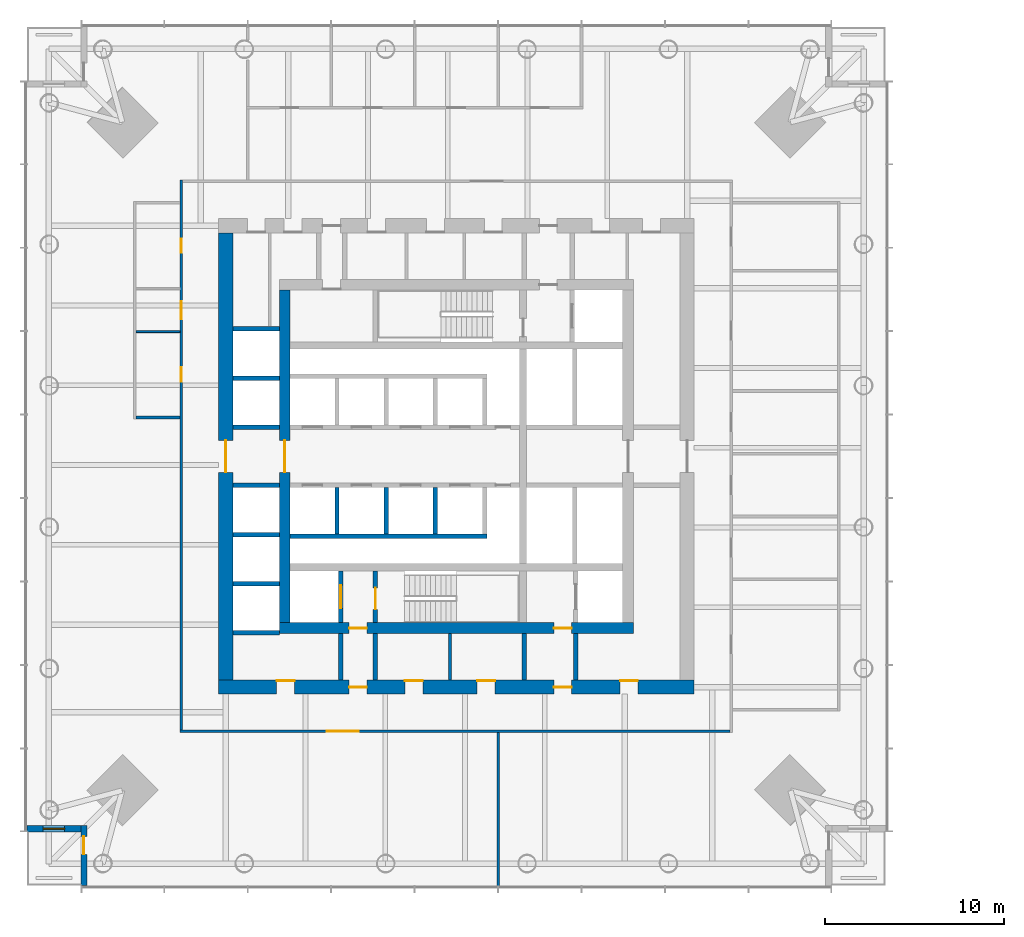
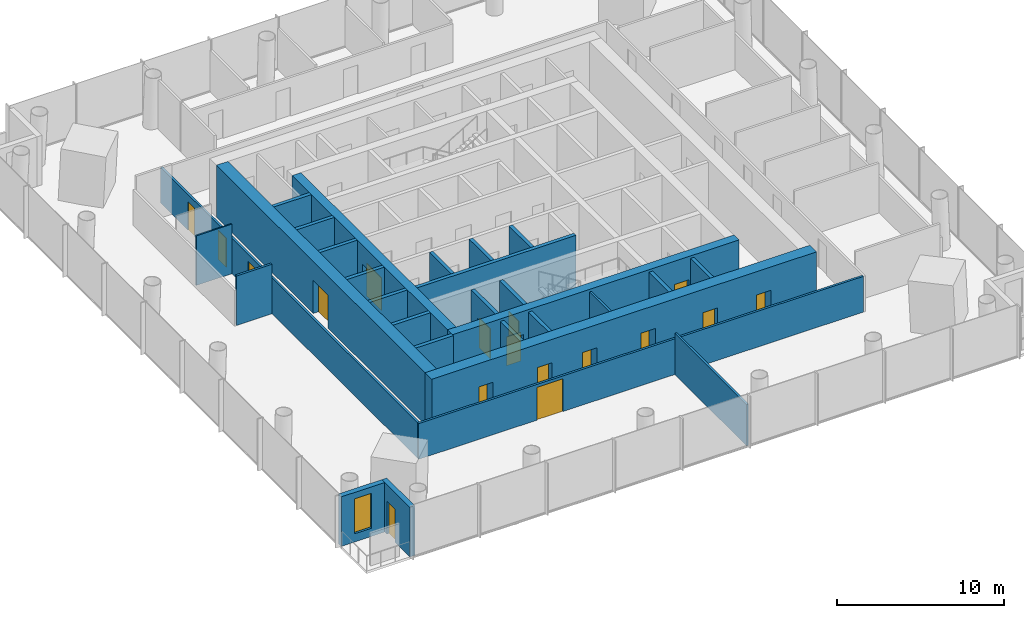
# One storey, part 10 of 21: 29 walls, 17 doors, 1 window, 18 openings.
"""IFC4 building model written with IfcOpenShell, lengths in metres."""

from ifc_helpers import new_model, si_unit, direction, frame, frame_2d, origin, place, context, subcontext, project, spatial, rectangle, extrude, material, layer, layer_set, type_object, element, fill, save


model = new_model("IFC4")

# Units and contexts
model_context = context("Model", 3, precision=1e-05, world=origin(), true_north=direction((0.0, 1.0)))
body_context = subcontext(model_context, "Body", "Model", "MODEL_VIEW")
ifc_project = project(units=[si_unit("LENGTHUNIT", "METRE"), si_unit("AREAUNIT", "SQUARE_METRE"), si_unit("VOLUMEUNIT", "CUBIC_METRE"), si_unit("PLANEANGLEUNIT", "RADIAN"), si_unit("MASSUNIT", "GRAM", prefix="KILO")], contexts=[model_context])

# Site, building, storey
site_placement = place(None, origin())
site = spatial("IfcSite", under=ifc_project, at=site_placement, CompositionType="ELEMENT")
building_placement = place(site_placement, origin())
building = spatial("IfcBuilding", under=site, at=building_placement, Name="Ostroluk Exchange", CompositionType="ELEMENT")
storey_placement = place(building_placement, frame((0.0, 0.0, 59.0)))
storey = spatial("IfcBuildingStorey", under=building, at=storey_placement, Name="L14", CompositionType="ELEMENT", Elevation=59.0)

# Walls
ifc_material_1 = material(Name="Concrete blockwork", Category="masonry")
ifc_layer_1 = layer(ifc_material_1, 0.10009765625)
ifc_layer_set_1 = layer_set([ifc_layer_1], Name="Blockwork WC wall 100")
wall_type_1 = type_object("IfcWallType", Name="Blockwork WC wall 100", PredefinedType="SOLIDWALL", material=ifc_layer_set_1)
wall_1_placement = place(storey_placement, frame((29.550048828125, 52.97509765625, 0.0), z_axis=(0.0, 0.0, 1.0), x_axis=(-1.0, 0.0, 0.0)))
element("IfcWall", 1, at=wall_1_placement, inside=storey, type_object=wall_type_1, Name="Blockwork WC wall", PredefinedType="SOLIDWALL", context=body_context, shape_type="SweptSolid", body=[
    extrude(rectangle(XDim=2.449951171875, YDim=0.10009765625, at=frame_2d((1.22509765625, 0.0))), origin(), (0.0, 0.0, 1.0), 3.6201171875),
])
ifc_material_2 = material(Name="Concrete blockwork", Category="masonry")
ifc_layer_2 = layer(ifc_material_2, 0.14990234375)
ifc_layer_set_2 = layer_set([ifc_layer_2], Name="Blockwork plant room wall 150")
wall_type_2 = type_object("IfcWallType", Name="Blockwork plant room wall 150", PredefinedType="SOLIDWALL", material=ifc_layer_set_2)
wall_2_placement = place(storey_placement, frame((44.639892578125, 33.5, 0.0), z_axis=(0.0, 0.0, 1.0), x_axis=(0.0, 1.0, 0.0)))
element("IfcWall", 2, at=wall_2_placement, inside=storey, type_object=wall_type_2, Name="Core room wall", PredefinedType="SOLIDWALL", context=body_context, shape_type="SweptSolid", body=[
    extrude(rectangle(XDim=2.60009765625, YDim=0.14990234375, at=frame_2d((1.300048828125, 0.0))), origin(), (0.0, 0.0, 1.0), 3.6201171875),
])
ifc_material_3 = material(Name="Concrete blockwork", Category="masonry")
ifc_layer_3 = layer(ifc_material_3, 0.25)
ifc_layer_set_3 = layer_set([ifc_layer_3], Name="Blockwork stair enclosure wall 250")
wall_type_3 = type_object("IfcWallType", Name="Blockwork stair enclosure wall 250", PredefinedType="SOLIDWALL", material=ifc_layer_set_3)
for number, where, z_axis, x_axis, name in (
    (3, (38.52490234375, 33.5, 0.0), (0.0, 0.0, 1.0), (0.0, 1.0, 0.0), "Fire lobby enclosure wall"),
    (4, (40.47509765625, 33.5, 0.0), (0.0, 0.0, 1.0), (0.0, 1.0, 0.0), "Fire lobby enclosure wall"),
    (5, (48.804931640625, 33.5, 0.0), (0.0, 0.0, 1.0), (0.0, 1.0, 0.0), "Service lobby enclosure wall"),
    (6, (51.675048828125, 33.5, 0.0), (0.0, 0.0, 1.0), (0.0, 1.0, 0.0), "Service lobby enclosure wall"),
):
    element("IfcWall", number, at=place(storey_placement, frame(where, z_axis=z_axis, x_axis=x_axis)), inside=storey, type_object=wall_type_3, Name=name, PredefinedType="SOLIDWALL", context=body_context, shape_type="SweptSolid", body=[
        extrude(rectangle(XDim=2.60009765625, YDim=0.25, at=frame_2d((1.300048828125, 0.0))), origin(), (0.0, 0.0, 1.0), 3.6201171875),
    ])

# Wall, opening, door
ifc_material_4 = material(Name="Concrete C40/50", Category="concrete")
ifc_layer_4 = layer(ifc_material_4, 0.25)
ifc_layer_set_4 = layer_set([ifc_layer_4], Name="Core shaft wall 250")
wall_type_4 = type_object("IfcWallType", Name="Core shaft wall 250", PredefinedType="SHEAR", material=ifc_layer_set_4)
wall_3_placement = place(storey_placement, frame((38.52490234375, 36.699951171875, 0.0), z_axis=(0.0, 0.0, 1.0), x_axis=(0.0, 1.0, 0.0)))
wall_3 = element("IfcWall", 7, at=wall_3_placement, inside=storey, type_object=wall_type_4, Name="Firefighting lift shaft wall", PredefinedType="SHEAR", context=body_context, shape_type="SweptSolid", body=[
    extrude(rectangle(XDim=2.900146484375, YDim=0.25, at=frame_2d((1.4501953125, 0.0))), origin(), (0.0, 0.0, 1.0), 3.800048828125),
])
opening_1_placement = place(wall_3_placement, frame((0.800048828125, 0.0, 0.0)))
opening_1 = element("IfcOpeningElement", 8, at=opening_1_placement, cuts=wall_3, Name="Opening LD2", PredefinedType="OPENING", context=body_context, shape_type="SweptSolid", body=[
    extrude(rectangle(XDim=1.300048828125, YDim=2.199951171875, at=frame_2d((0.64990234375, 1.10009765625))), frame((0.0, 0.135009765625, 0.0), z_axis=(0.0, -1.0, 0.0), x_axis=(1.0, 0.0, 0.0)), (0.0, 0.0, 1.0), 0.27001953125),
])
ifc_material_5 = material(Name="Stainless steel", Category="steel")
door_type_1 = type_object("IfcDoorType", Name="Lift landing door E 60 1300 x 2200", OperationType="DOUBLE_DOOR_SLIDING", PredefinedType="DOOR", material=ifc_material_5)
door_1_placement = place(opening_1_placement, origin())
door_1 = element("IfcDoor", 9, at=door_1_placement, inside=storey, type_object=door_type_1, Name="Lift FL1 landing door", OperationType="DOUBLE_DOOR_SLIDING", OverallHeight=2.199951171875, OverallWidth=1.300048828125, PredefinedType="DOOR", context=body_context, shape_type="SweptSolid", body=[
    extrude(rectangle(XDim=1.300048828125, YDim=2.199951171875, at=frame_2d((0.64990234375, 1.10009765625))), frame((0.0, 0.02490234375, 0.0), z_axis=(0.0, -1.0, 0.0), x_axis=(1.0, 0.0, 0.0)), (0.0, 0.0, 1.0), 0.050048828125),
])
fill(opening_1, door_1)

wall_4_placement = place(storey_placement, frame((40.47509765625, 36.699951171875, 0.0), z_axis=(0.0, 0.0, 1.0), x_axis=(0.0, 1.0, 0.0)))
wall_4 = element("IfcWall", 10, at=wall_4_placement, inside=storey, type_object=wall_type_4, Name="Stair shaft wall", PredefinedType="SHEAR", context=body_context, shape_type="SweptSolid", body=[
    extrude(rectangle(XDim=2.900146484375, YDim=0.25, at=frame_2d((1.4501953125, 0.0))), origin(), (0.0, 0.0, 1.0), 3.800048828125),
])
opening_2_placement = place(wall_4_placement, frame((0.75, 0.0, 0.0)))
opening_2 = element("IfcOpeningElement", 11, at=opening_2_placement, cuts=wall_4, Name="Opening FD60S", PredefinedType="OPENING", context=body_context, shape_type="SweptSolid", body=[
    extrude(rectangle(XDim=1.199951171875, YDim=2.10009765625, at=frame_2d((0.60009765625, 1.050048828125))), frame((0.0, 0.135009765625, 0.0), z_axis=(0.0, -1.0, 0.0), x_axis=(1.0, 0.0, 0.0)), (0.0, 0.0, 1.0), 0.27001953125),
])
ifc_material_6 = material(Name="Steel", Category="steel")
door_type_2 = type_object("IfcDoorType", Name="Stair door EI 60 1200 x 2100", OperationType="SINGLE_SWING_LEFT", PredefinedType="DOOR", material=ifc_material_6)
door_2_placement = place(opening_2_placement, origin())
door_2 = element("IfcDoor", 12, at=door_2_placement, inside=storey, type_object=door_type_2, Name="Stair T1-S1 door", OperationType="SINGLE_SWING_LEFT", OverallHeight=2.10009765625, OverallWidth=1.199951171875, PredefinedType="DOOR", context=body_context, shape_type="SweptSolid", body=[
    extrude(rectangle(XDim=1.199951171875, YDim=2.10009765625, at=frame_2d((0.60009765625, 1.050048828125))), frame((0.0, 0.02490234375, 0.0), z_axis=(0.0, -1.0, 0.0), x_axis=(1.0, 0.0, 0.0)), (0.0, 0.0, 1.0), 0.050048828125),
])
fill(opening_2, door_2)

# Walls
for number, where, z_axis, x_axis, name in (
    (13, (38.324951171875, 44.25, 0.0), (0.0, 0.0, 1.0), (0.0, -1.0, 0.0), "Lift shaft wall"),
    (14, (41.074951171875, 44.25, 0.0), (0.0, 0.0, 1.0), (0.0, -1.0, 0.0), "Lift shaft wall"),
    (15, (43.824951171875, 44.25, 0.0), (0.0, 0.0, 1.0), (0.0, -1.0, 0.0), "Lift shaft wall"),
):
    element("IfcWall", number, at=place(storey_placement, frame(where, z_axis=z_axis, x_axis=x_axis)), inside=storey, type_object=wall_type_4, Name=name, PredefinedType="SHEAR", context=body_context, shape_type="SweptSolid", body=[
        extrude(rectangle(XDim=2.60009765625, YDim=0.25, at=frame_2d((1.300048828125, 0.0))), origin(), (0.0, 0.0, 1.0), 3.800048828125),
    ])
wall_5_placement = place(storey_placement, frame((35.699951171875, 41.52490234375, 0.0), z_axis=(0.0, 0.0, 1.0), x_axis=(1.0, 0.0, 0.0)))
element("IfcWall", 16, at=wall_5_placement, inside=storey, type_object=wall_type_4, Name="Lift shaft wall", PredefinedType="SHEAR", context=body_context, shape_type="SweptSolid", body=[
    extrude(rectangle(XDim=11.0, YDim=0.25, at=frame_2d((5.5, 0.0))), origin(), (0.0, 0.0, 1.0), 3.800048828125),
])
for number, where, z_axis, x_axis, name in (
    (17, (32.5, 36.125, 0.0), (0.0, 0.0, 1.0), (1.0, 0.0, 0.0), "Lift shaft wall"),
    (18, (32.5, 38.875, 0.0), (0.0, 0.0, 1.0), (1.0, 0.0, 0.0), "Lift shaft wall"),
    (19, (32.5, 41.625, 0.0), (0.0, 0.0, 1.0), (1.0, 0.0, 0.0), "Lift shaft wall"),
    (20, (32.5, 44.375, 0.0), (0.0, 0.0, 1.0), (1.0, 0.0, 0.0), "Lift shaft wall"),
    (21, (32.5, 47.625, 0.0), (0.0, 0.0, 1.0), (1.0, 0.0, 0.0), "Lift shaft wall"),
    (22, (32.5, 50.375, 0.0), (0.0, 0.0, 1.0), (1.0, 0.0, 0.0), "Lift shaft wall"),
    (23, (32.5, 53.125, 0.0), (0.0, 0.0, 1.0), (1.0, 0.0, 0.0), "Lift shaft wall"),
):
    element("IfcWall", number, at=place(storey_placement, frame(where, z_axis=z_axis, x_axis=x_axis)), inside=storey, type_object=wall_type_4, Name=name, PredefinedType="SHEAR", context=body_context, shape_type="SweptSolid", body=[
        extrude(rectangle(XDim=2.60009765625, YDim=0.25, at=frame_2d((1.300048828125, 0.0))), origin(), (0.0, 0.0, 1.0), 3.800048828125),
    ])

# Wall, openings, doors
ifc_material_7 = material(Name="Concrete C50/60", Category="concrete")
ifc_layer_5 = layer(ifc_material_7, 0.60009765625)
ifc_layer_set_5 = layer_set([ifc_layer_5], Name="Core wall 600 C50/60")
wall_type_5 = type_object("IfcWallType", Name="Core wall 600 C50/60", PredefinedType="SHEAR", material=ifc_layer_set_5)
wall_6_placement = place(storey_placement, frame((35.10009765625, 36.39990234375, 0.0), z_axis=(0.0, 0.0, 1.0), x_axis=(1.0, 0.0, 0.0)))
wall_6 = element("IfcWall", 24, at=wall_6_placement, inside=storey, type_object=wall_type_5, Name="T1 core wall S", PredefinedType="SHEAR", context=body_context, shape_type="SweptSolid", body=[
    extrude(rectangle(XDim=19.7998046875, YDim=0.60009765625, at=frame_2d((9.89990234375, 0.0))), origin(), (0.0, 0.0, 1.0), 3.800048828125),
])
opening_3_placement = place(wall_6_placement, frame((3.89990234375, 0.0, 0.0)))
opening_3 = element("IfcOpeningElement", 25, at=opening_3_placement, cuts=wall_6, Name="Opening FD60", PredefinedType="OPENING", context=body_context, shape_type="SweptSolid", body=[
    extrude(rectangle(XDim=1.0, YDim=2.10009765625, at=frame_2d((0.5, 1.050048828125))), frame((0.0, 0.31005859375, 0.0), z_axis=(0.0, -1.0, 0.0), x_axis=(1.0, 0.0, 0.0)), (0.0, 0.0, 1.0), 0.6201171875),
])
opening_4_placement = place(wall_6_placement, frame((15.35009765625, 0.0, 0.0)))
opening_4 = element("IfcOpeningElement", 26, at=opening_4_placement, cuts=wall_6, Name="Opening FD60", PredefinedType="OPENING", context=body_context, shape_type="SweptSolid", body=[
    extrude(rectangle(XDim=1.0, YDim=2.10009765625, at=frame_2d((0.5, 1.050048828125))), frame((0.0, 0.31005859375, 0.0), z_axis=(0.0, -1.0, 0.0), x_axis=(1.0, 0.0, 0.0)), (0.0, 0.0, 1.0), 0.6201171875),
])
ifc_material_8 = material(Name="Steel", Category="steel")
door_type_3 = type_object("IfcDoorType", Name="Fire door EI 60 1000 x 2100", OperationType="SINGLE_SWING_LEFT", PredefinedType="DOOR", material=ifc_material_8)
door_3_placement = place(opening_3_placement, origin())
door_3 = element("IfcDoor", 27, at=door_3_placement, inside=storey, type_object=door_type_3, Name="Firefighting lobby door", OperationType="SINGLE_SWING_LEFT", OverallHeight=2.10009765625, OverallWidth=1.0, PredefinedType="DOOR", context=body_context, shape_type="SweptSolid", body=[
    extrude(rectangle(XDim=1.0, YDim=2.10009765625, at=frame_2d((0.5, 1.050048828125))), frame((0.0, 0.02490234375, 0.0), z_axis=(0.0, -1.0, 0.0), x_axis=(1.0, 0.0, 0.0)), (0.0, 0.0, 1.0), 0.050048828125),
])
fill(opening_3, door_3)
door_4_placement = place(opening_4_placement, origin())
door_4 = element("IfcDoor", 28, at=door_4_placement, inside=storey, type_object=door_type_3, Name="Service lobby door", OperationType="SINGLE_SWING_RIGHT", OverallHeight=2.10009765625, OverallWidth=1.0, PredefinedType="DOOR", context=body_context, shape_type="SweptSolid", body=[
    extrude(rectangle(XDim=1.0, YDim=2.10009765625, at=frame_2d((0.5, 1.050048828125))), frame((0.0, 0.02490234375, 0.0), z_axis=(0.0, -1.0, 0.0), x_axis=(1.0, 0.0, 0.0)), (0.0, 0.0, 1.0), 0.050048828125),
])
fill(opening_4, door_4)

# Wall, opening, door
wall_7_placement = place(storey_placement, frame((35.39990234375, 36.699951171875, 0.0), z_axis=(0.0, 0.0, 1.0), x_axis=(0.0, 1.0, 0.0)))
wall_7 = element("IfcWall", 29, at=wall_7_placement, inside=storey, type_object=wall_type_5, Name="T1 core wall W", PredefinedType="SHEAR", context=body_context, shape_type="SweptSolid", body=[
    extrude(rectangle(XDim=18.60009765625, YDim=0.60009765625, at=frame_2d((9.300048828125, 0.0))), origin(), (0.0, 0.0, 1.0), 3.800048828125),
])
opening_5_placement = place(wall_7_placement, frame((8.39990234375, 0.0, 0.0)))
opening_5 = element("IfcOpeningElement", 30, at=opening_5_placement, cuts=wall_7, Name="Opening FD30D", PredefinedType="OPENING", context=body_context, shape_type="SweptSolid", body=[
    extrude(rectangle(XDim=1.800048828125, YDim=2.39990234375, at=frame_2d((0.89990234375, 1.199951171875))), frame((0.0, 0.31005859375, 0.0), z_axis=(0.0, -1.0, 0.0), x_axis=(1.0, 0.0, 0.0)), (0.0, 0.0, 1.0), 0.6201171875),
])
ifc_material_9 = material(Name="Timber", Category="wood")
door_type_4 = type_object("IfcDoorType", Name="Lobby double door EI 30 1800 x 2400", OperationType="DOUBLE_DOOR_SINGLE_SWING", PredefinedType="DOOR", material=ifc_material_9)
door_5_placement = place(opening_5_placement, origin())
door_5 = element("IfcDoor", 31, at=door_5_placement, inside=storey, type_object=door_type_4, Name="Lift lobby doors", OperationType="DOUBLE_DOOR_SINGLE_SWING", OverallHeight=2.39990234375, OverallWidth=1.800048828125, PredefinedType="DOOR", context=body_context, shape_type="SweptSolid", body=[
    extrude(rectangle(XDim=1.800048828125, YDim=2.39990234375, at=frame_2d((0.89990234375, 1.199951171875))), frame((0.0, 0.02490234375, 0.0), z_axis=(0.0, -1.0, 0.0), x_axis=(1.0, 0.0, 0.0)), (0.0, 0.0, 1.0), 0.050048828125),
])
fill(opening_5, door_5)

# Wall, openings, doors
ifc_material_10 = material(Name="Concrete C50/60", Category="concrete")
ifc_layer_6 = layer(ifc_material_10, 0.800048828125)
ifc_layer_set_6 = layer_set([ifc_layer_6], Name="Core wall 800 C50/60")
wall_type_6 = type_object("IfcWallType", Name="Core wall 800 C50/60", PredefinedType="SHEAR", material=ifc_layer_set_6)
wall_8_placement = place(storey_placement, frame((31.699951171875, 33.10009765625, 0.0), z_axis=(0.0, 0.0, 1.0), x_axis=(1.0, 0.0, 0.0)))
wall_8 = element("IfcWall", 32, at=wall_8_placement, inside=storey, type_object=wall_type_6, Name="T1 core wall RS", PredefinedType="SHEAR", context=body_context, shape_type="SweptSolid", body=[
    extrude(rectangle(XDim=26.60009765625, YDim=0.800048828125, at=frame_2d((13.300048828125, 0.0))), origin(), (0.0, 0.0, 1.0), 3.800048828125),
])
opening_6_placement = place(wall_8_placement, frame((7.300048828125, 0.0, 0.0)))
opening_6 = element("IfcOpeningElement", 33, at=opening_6_placement, cuts=wall_8, Name="Opening FD60", PredefinedType="OPENING", context=body_context, shape_type="SweptSolid", body=[
    extrude(rectangle(XDim=1.0, YDim=2.10009765625, at=frame_2d((0.5, 1.050048828125))), frame((0.0, 0.409912109375, 0.0), z_axis=(0.0, -1.0, 0.0), x_axis=(1.0, 0.0, 0.0)), (0.0, 0.0, 1.0), 0.820068359375),
])
opening_7_placement = place(wall_8_placement, frame((18.75, 0.0, 0.0)))
opening_7 = element("IfcOpeningElement", 34, at=opening_7_placement, cuts=wall_8, Name="Opening FD60", PredefinedType="OPENING", context=body_context, shape_type="SweptSolid", body=[
    extrude(rectangle(XDim=1.0, YDim=2.10009765625, at=frame_2d((0.5, 1.050048828125))), frame((0.0, 0.409912109375, 0.0), z_axis=(0.0, -1.0, 0.0), x_axis=(1.0, 0.0, 0.0)), (0.0, 0.0, 1.0), 0.820068359375),
])
opening_8_placement = place(wall_8_placement, frame((3.25, 0.0, 0.0)))
opening_8 = element("IfcOpeningElement", 35, at=opening_8_placement, cuts=wall_8, Name="Opening FD60", PredefinedType="OPENING", context=body_context, shape_type="SweptSolid", body=[
    extrude(rectangle(XDim=1.0, YDim=2.10009765625, at=frame_2d((0.5, 1.050048828125))), frame((0.0, 0.409912109375, 0.0), z_axis=(0.0, -1.0, 0.0), x_axis=(1.0, 0.0, 0.0)), (0.0, 0.0, 1.0), 0.820068359375),
])
opening_9_placement = place(wall_8_placement, frame((10.419921875, 0.0, 0.0)))
opening_9 = element("IfcOpeningElement", 36, at=opening_9_placement, cuts=wall_8, Name="Opening FD60", PredefinedType="OPENING", context=body_context, shape_type="SweptSolid", body=[
    extrude(rectangle(XDim=1.0, YDim=2.10009765625, at=frame_2d((0.5, 1.050048828125))), frame((0.0, 0.409912109375, 0.0), z_axis=(0.0, -1.0, 0.0), x_axis=(1.0, 0.0, 0.0)), (0.0, 0.0, 1.0), 0.820068359375),
])
opening_10_placement = place(wall_8_placement, frame((14.4599609375, 0.0, 0.0)))
opening_10 = element("IfcOpeningElement", 37, at=opening_10_placement, cuts=wall_8, Name="Opening FD60", PredefinedType="OPENING", context=body_context, shape_type="SweptSolid", body=[
    extrude(rectangle(XDim=1.0, YDim=2.10009765625, at=frame_2d((0.5, 1.050048828125))), frame((0.0, 0.409912109375, 0.0), z_axis=(0.0, -1.0, 0.0), x_axis=(1.0, 0.0, 0.0)), (0.0, 0.0, 1.0), 0.820068359375),
])
opening_11_placement = place(wall_8_placement, frame((22.449951171875, 0.0, 0.0)))
opening_11 = element("IfcOpeningElement", 38, at=opening_11_placement, cuts=wall_8, Name="Opening FD60", PredefinedType="OPENING", context=body_context, shape_type="SweptSolid", body=[
    extrude(rectangle(XDim=1.0, YDim=2.10009765625, at=frame_2d((0.5, 1.050048828125))), frame((0.0, 0.409912109375, 0.0), z_axis=(0.0, -1.0, 0.0), x_axis=(1.0, 0.0, 0.0)), (0.0, 0.0, 1.0), 0.820068359375),
])
door_6_placement = place(opening_6_placement, origin())
door_6 = element("IfcDoor", 39, at=door_6_placement, inside=storey, type_object=door_type_3, Name="Firefighting lobby door", OperationType="SINGLE_SWING_LEFT", OverallHeight=2.10009765625, OverallWidth=1.0, PredefinedType="DOOR", context=body_context, shape_type="SweptSolid", body=[
    extrude(rectangle(XDim=1.0, YDim=2.10009765625, at=frame_2d((0.5, 1.050048828125))), frame((0.0, 0.02490234375, 0.0), z_axis=(0.0, -1.0, 0.0), x_axis=(1.0, 0.0, 0.0)), (0.0, 0.0, 1.0), 0.050048828125),
])
fill(opening_6, door_6)
door_7_placement = place(opening_7_placement, origin())
door_7 = element("IfcDoor", 40, at=door_7_placement, inside=storey, type_object=door_type_3, Name="Service lobby door", OperationType="SINGLE_SWING_RIGHT", OverallHeight=2.10009765625, OverallWidth=1.0, PredefinedType="DOOR", context=body_context, shape_type="SweptSolid", body=[
    extrude(rectangle(XDim=1.0, YDim=2.10009765625, at=frame_2d((0.5, 1.050048828125))), frame((0.0, 0.02490234375, 0.0), z_axis=(0.0, -1.0, 0.0), x_axis=(1.0, 0.0, 0.0)), (0.0, 0.0, 1.0), 0.050048828125),
])
fill(opening_7, door_7)
door_8_placement = place(opening_8_placement, origin())
door_8 = element("IfcDoor", 41, at=door_8_placement, inside=storey, type_object=door_type_3, Name="Archive door", OperationType="SINGLE_SWING_LEFT", OverallHeight=2.10009765625, OverallWidth=1.0, PredefinedType="DOOR", context=body_context, shape_type="SweptSolid", body=[
    extrude(rectangle(XDim=1.0, YDim=2.10009765625, at=frame_2d((0.5, 1.050048828125))), frame((0.0, 0.39013671875, 0.0), z_axis=(0.0, -1.0, 0.0), x_axis=(1.0, 0.0, 0.0)), (0.0, 0.0, 1.0), 0.050048828125),
])
fill(opening_8, door_8)
door_9_placement = place(opening_9_placement, origin())
door_9 = element("IfcDoor", 42, at=door_9_placement, inside=storey, type_object=door_type_3, Name="Tea point door", OperationType="SINGLE_SWING_LEFT", OverallHeight=2.10009765625, OverallWidth=1.0, PredefinedType="DOOR", context=body_context, shape_type="SweptSolid", body=[
    extrude(rectangle(XDim=1.0, YDim=2.10009765625, at=frame_2d((0.5, 1.050048828125))), frame((0.0, 0.39013671875, 0.0), z_axis=(0.0, -1.0, 0.0), x_axis=(1.0, 0.0, 0.0)), (0.0, 0.0, 1.0), 0.050048828125),
])
fill(opening_9, door_9)
door_10_placement = place(opening_10_placement, origin())
door_10 = element("IfcDoor", 43, at=door_10_placement, inside=storey, type_object=door_type_3, Name="Print and post room door", OperationType="SINGLE_SWING_RIGHT", OverallHeight=2.10009765625, OverallWidth=1.0, PredefinedType="DOOR", context=body_context, shape_type="SweptSolid", body=[
    extrude(rectangle(XDim=1.0, YDim=2.10009765625, at=frame_2d((0.5, 1.050048828125))), frame((0.0, 0.39013671875, 0.0), z_axis=(0.0, -1.0, 0.0), x_axis=(1.0, 0.0, 0.0)), (0.0, 0.0, 1.0), 0.050048828125),
])
fill(opening_10, door_10)
door_11_placement = place(opening_11_placement, origin())
door_11 = element("IfcDoor", 44, at=door_11_placement, inside=storey, type_object=door_type_3, Name="Tenant IT room door", OperationType="SINGLE_SWING_RIGHT", OverallHeight=2.10009765625, OverallWidth=1.0, PredefinedType="DOOR", context=body_context, shape_type="SweptSolid", body=[
    extrude(rectangle(XDim=1.0, YDim=2.10009765625, at=frame_2d((0.5, 1.050048828125))), frame((0.0, 0.39013671875, 0.0), z_axis=(0.0, -1.0, 0.0), x_axis=(1.0, 0.0, 0.0)), (0.0, 0.0, 1.0), 0.050048828125),
])
fill(opening_11, door_11)

# Wall, opening, door
wall_9_placement = place(storey_placement, frame((32.10009765625, 33.5, 0.0), z_axis=(0.0, 0.0, 1.0), x_axis=(0.0, 1.0, 0.0)))
wall_9 = element("IfcWall", 45, at=wall_9_placement, inside=storey, type_object=wall_type_6, Name="T1 core wall RW", PredefinedType="SHEAR", context=body_context, shape_type="SweptSolid", body=[
    extrude(rectangle(XDim=25.0, YDim=0.800048828125, at=frame_2d((12.5, 0.0))), origin(), (0.0, 0.0, 1.0), 3.800048828125),
])
opening_12_placement = place(wall_9_placement, frame((11.60009765625, 0.0, 0.0)))
opening_12 = element("IfcOpeningElement", 46, at=opening_12_placement, cuts=wall_9, Name="Opening FD30D", PredefinedType="OPENING", context=body_context, shape_type="SweptSolid", body=[
    extrude(rectangle(XDim=1.800048828125, YDim=2.39990234375, at=frame_2d((0.89990234375, 1.199951171875))), frame((0.0, 0.409912109375, 0.0), z_axis=(0.0, -1.0, 0.0), x_axis=(1.0, 0.0, 0.0)), (0.0, 0.0, 1.0), 0.820068359375),
])
door_12_placement = place(opening_12_placement, origin())
door_12 = element("IfcDoor", 47, at=door_12_placement, inside=storey, type_object=door_type_4, Name="Lift lobby doors", OperationType="DOUBLE_DOOR_SINGLE_SWING", OverallHeight=2.39990234375, OverallWidth=1.800048828125, PredefinedType="DOOR", context=body_context, shape_type="SweptSolid", body=[
    extrude(rectangle(XDim=1.800048828125, YDim=2.39990234375, at=frame_2d((0.89990234375, 1.199951171875))), frame((0.0, 0.02490234375, 0.0), z_axis=(0.0, -1.0, 0.0), x_axis=(1.0, 0.0, 0.0)), (0.0, 0.0, 1.0), 0.050048828125),
])
fill(opening_12, door_12)

ifc_material_11 = material(Name="Limestone", Category="masonry")
ifc_layer_7 = layer(ifc_material_11, 0.35009765625)
ifc_layer_set_7 = layer_set([ifc_layer_7], Name="Limestone facade wall 350")
wall_type_7 = type_object("IfcWallType", Name="Limestone facade wall 350", PredefinedType="SOLIDWALL", material=ifc_layer_set_7)
wall_10_placement = place(storey_placement, frame((24.175048828125, 22.0, 0.0), z_axis=(0.0, 0.0, 1.0), x_axis=(0.0, 1.0, 0.0)))
wall_10 = element("IfcWall", 48, at=wall_10_placement, inside=storey, type_object=wall_type_7, Name="Office tower SW corner wall L14 a", PredefinedType="SOLIDWALL", context=body_context, shape_type="SweptSolid", body=[
    extrude(rectangle(XDim=3.35009765625, YDim=0.35009765625, at=frame_2d((1.675048828125, 0.0))), origin(), (0.0, 0.0, 1.0), 3.6201171875),
])
opening_13_placement = place(wall_10_placement, frame((1.75, 0.0, 0.0)))
opening_13 = element("IfcOpeningElement", 49, at=opening_13_placement, cuts=wall_10, Name="Opening D-B1", PredefinedType="OPENING", context=body_context, shape_type="SweptSolid", body=[
    extrude(rectangle(XDim=1.0, YDim=2.39990234375, at=frame_2d((0.5, 1.199951171875))), frame((0.0, 0.18505859375, 0.0), z_axis=(0.0, -1.0, 0.0), x_axis=(1.0, 0.0, 0.0)), (0.0, 0.0, 1.0), 0.3701171875),
])
ifc_material_12 = material(Name="Bronze framed glazed door", Category="aluminium")
door_type_5 = type_object("IfcDoorType", Name="Balcony door 1000 x 2400", OperationType="SINGLE_SWING_LEFT", PredefinedType="DOOR", material=ifc_material_12)
door_13_placement = place(opening_13_placement, origin())
door_13 = element("IfcDoor", 50, at=door_13_placement, inside=storey, type_object=door_type_5, Name="Office tower SW balcony door L14", OperationType="SINGLE_SWING_RIGHT", OverallHeight=2.39990234375, OverallWidth=1.0, PredefinedType="DOOR", context=body_context, shape_type="SweptSolid", body=[
    extrude(rectangle(XDim=1.0, YDim=2.39990234375, at=frame_2d((0.5, 1.199951171875))), frame((0.0, 0.02490234375, 0.0), z_axis=(0.0, -1.0, 0.0), x_axis=(1.0, 0.0, 0.0)), (0.0, 0.0, 1.0), 0.050048828125),
])
fill(opening_13, door_13)

# Wall, opening, window
wall_11_placement = place(storey_placement, frame((24.0, 25.175048828125, 0.0), z_axis=(0.0, 0.0, 1.0), x_axis=(-1.0, 0.0, 0.0)))
wall_11 = element("IfcWall", 51, at=wall_11_placement, inside=storey, type_object=wall_type_7, Name="Office tower SW corner wall L14 b", PredefinedType="SOLIDWALL", context=body_context, shape_type="SweptSolid", body=[
    extrude(rectangle(XDim=3.0, YDim=0.35009765625, at=frame_2d((1.5, 0.0))), origin(), (0.0, 0.0, 1.0), 3.6201171875),
])
opening_14_placement = place(wall_11_placement, frame((0.89990234375, 0.0, 0.60009765625)))
opening_14 = element("IfcOpeningElement", 52, at=opening_14_placement, cuts=wall_11, Name="Opening WN-L1", PredefinedType="OPENING", context=body_context, shape_type="SweptSolid", body=[
    extrude(rectangle(XDim=1.199951171875, YDim=2.550048828125, at=frame_2d((0.60009765625, 1.27490234375))), frame((0.0, 0.18505859375, 0.0), z_axis=(0.0, -1.0, 0.0), x_axis=(1.0, 0.0, 0.0)), (0.0, 0.0, 1.0), 0.3701171875),
])
ifc_material_13 = material(Name="Laminated clear glass", Category="glass")
window_type = type_object("IfcWindowType", Name="Lancet window 1200 x 2550", PartitioningType="SINGLE_PANEL", PredefinedType="WINDOW", material=ifc_material_13)
window_placement = place(opening_14_placement, origin())
window = element("IfcWindow", 53, at=window_placement, inside=storey, type_object=window_type, Name="Office tower SW lancet window L14", OverallHeight=2.550048828125, OverallWidth=1.199951171875, PartitioningType="SINGLE_PANEL", PredefinedType="WINDOW", context=body_context, shape_type="SweptSolid", body=[
    extrude(rectangle(XDim=1.199951171875, YDim=2.550048828125, at=frame_2d((0.60009765625, 1.27490234375))), frame((0.0, 0.030029296875, 0.0), z_axis=(0.0, -1.0, 0.0), x_axis=(1.0, 0.0, 0.0)), (0.0, 0.0, 1.0), 0.06005859375),
])
fill(opening_14, window)

# Wall
ifc_material_14 = material(Name="Gypsum plasterboard partition", Category="gypsum")
ifc_layer_8 = layer(ifc_material_14, 0.14990234375)
ifc_layer_set_8 = layer_set([ifc_layer_8], Name="Plasterboard partition 150")
wall_type_8 = type_object("IfcWallType", Name="Plasterboard partition 150", PredefinedType="PARTITIONING", material=ifc_layer_set_8)
wall_12_placement = place(storey_placement, frame((47.333251953125, 30.550048828125, 0.0), z_axis=(0.0, 0.0, 1.0), x_axis=(0.0, -1.0, 0.0)))
element("IfcWall", 54, at=wall_12_placement, inside=storey, type_object=wall_type_8, Name="Tenancy partition", PredefinedType="PARTITIONING", context=body_context, shape_type="SweptSolid", body=[
    extrude(rectangle(XDim=8.590087890625, YDim=0.14990234375, at=frame_2d((4.294921875, 0.0))), origin(), (0.0, 0.0, 1.0), 3.02001953125),
])

# Wall, openings, doors
wall_13_placement = place(storey_placement, frame((29.625, 61.449951171875, 0.0), z_axis=(0.0, 0.0, 1.0), x_axis=(0.0, -1.0, 0.0)))
wall_13 = element("IfcWall", 55, at=wall_13_placement, inside=storey, type_object=wall_type_8, Name="Corridor wall", PredefinedType="PARTITIONING", context=body_context, shape_type="SweptSolid", body=[
    extrude(rectangle(XDim=30.75, YDim=0.14990234375, at=frame_2d((15.375, 0.0))), origin(), (0.0, 0.0, 1.0), 2.612060546875),
])
opening_15_placement = place(wall_13_placement, frame((3.27490234375, 0.0, 0.0)))
opening_15 = element("IfcOpeningElement", 56, at=opening_15_placement, cuts=wall_13, Name="Opening D-06", PredefinedType="OPENING", context=body_context, shape_type="SweptSolid", body=[
    extrude(rectangle(XDim=0.800048828125, YDim=2.10009765625, at=frame_2d((0.39990234375, 1.050048828125))), frame((0.0, 0.0849609375, 0.0), z_axis=(0.0, -1.0, 0.0), x_axis=(1.0, 0.0, 0.0)), (0.0, 0.0, 1.0), 0.169921875),
])
opening_16_placement = place(wall_13_placement, frame((6.77490234375, 0.0, 0.0)))
opening_16 = element("IfcOpeningElement", 57, at=opening_16_placement, cuts=wall_13, Name="Opening D-03", PredefinedType="OPENING", context=body_context, shape_type="SweptSolid", body=[
    extrude(rectangle(XDim=1.0, YDim=2.10009765625, at=frame_2d((0.5, 1.050048828125))), frame((0.0, 0.0849609375, 0.0), z_axis=(0.0, -1.0, 0.0), x_axis=(1.0, 0.0, 0.0)), (0.0, 0.0, 1.0), 0.169921875),
])
opening_17_placement = place(wall_13_placement, frame((10.47509765625, 0.0, 0.0)))
opening_17 = element("IfcOpeningElement", 58, at=opening_17_placement, cuts=wall_13, Name="Opening D-06", PredefinedType="OPENING", context=body_context, shape_type="SweptSolid", body=[
    extrude(rectangle(XDim=0.800048828125, YDim=2.10009765625, at=frame_2d((0.39990234375, 1.050048828125))), frame((0.0, 0.0849609375, 0.0), z_axis=(0.0, -1.0, 0.0), x_axis=(1.0, 0.0, 0.0)), (0.0, 0.0, 1.0), 0.169921875),
])
ifc_material_15 = material(Name="Timber", Category="wood")
door_type_6 = type_object("IfcDoorType", Name="Internal door 1000 x 2100", OperationType="SINGLE_SWING_LEFT", PredefinedType="DOOR", material=ifc_material_15)
door_14_placement = place(opening_16_placement, origin())
door_14 = element("IfcDoor", 59, at=door_14_placement, inside=storey, type_object=door_type_6, Name="Accessible WC door", OperationType="SINGLE_SWING_LEFT", OverallHeight=2.10009765625, OverallWidth=1.0, PredefinedType="DOOR", context=body_context, shape_type="SweptSolid", body=[
    extrude(rectangle(XDim=1.0, YDim=2.10009765625, at=frame_2d((0.5, 1.050048828125))), frame((0.0, 0.02490234375, 0.0), z_axis=(0.0, -1.0, 0.0), x_axis=(1.0, 0.0, 0.0)), (0.0, 0.0, 1.0), 0.050048828125),
])
fill(opening_16, door_14)
ifc_material_16 = material(Name="Timber", Category="wood")
door_type_7 = type_object("IfcDoorType", Name="Toilet door 800 x 2100", OperationType="SINGLE_SWING_LEFT", PredefinedType="DOOR", material=ifc_material_16)
door_15_placement = place(opening_15_placement, origin())
door_15 = element("IfcDoor", 60, at=door_15_placement, inside=storey, type_object=door_type_7, Name="WC female door", OperationType="SINGLE_SWING_LEFT", OverallHeight=2.10009765625, OverallWidth=0.800048828125, PredefinedType="DOOR", context=body_context, shape_type="SweptSolid", body=[
    extrude(rectangle(XDim=0.800048828125, YDim=2.10009765625, at=frame_2d((0.39990234375, 1.050048828125))), frame((0.0, 0.02490234375, 0.0), z_axis=(0.0, -1.0, 0.0), x_axis=(1.0, 0.0, 0.0)), (0.0, 0.0, 1.0), 0.050048828125),
])
fill(opening_15, door_15)
door_16_placement = place(opening_17_placement, origin())
door_16 = element("IfcDoor", 61, at=door_16_placement, inside=storey, type_object=door_type_7, Name="WC male door", OperationType="SINGLE_SWING_LEFT", OverallHeight=2.10009765625, OverallWidth=0.800048828125, PredefinedType="DOOR", context=body_context, shape_type="SweptSolid", body=[
    extrude(rectangle(XDim=0.800048828125, YDim=2.10009765625, at=frame_2d((0.39990234375, 1.050048828125))), frame((0.0, 0.02490234375, 0.0), z_axis=(0.0, -1.0, 0.0), x_axis=(1.0, 0.0, 0.0)), (0.0, 0.0, 1.0), 0.050048828125),
])
fill(opening_17, door_16)

# Wall, opening, door
wall_14_placement = place(storey_placement, frame((29.550048828125, 30.625, 0.0), z_axis=(0.0, 0.0, 1.0), x_axis=(1.0, 0.0, 0.0)))
wall_14 = element("IfcWall", 62, at=wall_14_placement, inside=storey, type_object=wall_type_8, Name="Corridor wall", PredefinedType="PARTITIONING", context=body_context, shape_type="SweptSolid", body=[
    extrude(rectangle(XDim=30.75, YDim=0.14990234375, at=frame_2d((15.375, 0.0))), origin(), (0.0, 0.0, 1.0), 2.612060546875),
])
opening_18_placement = place(wall_14_placement, frame((8.191650390625, 0.0, 0.0)))
opening_18 = element("IfcOpeningElement", 63, at=opening_18_placement, cuts=wall_14, Name="Opening D-04", PredefinedType="OPENING", context=body_context, shape_type="SweptSolid", body=[
    extrude(rectangle(XDim=1.800048828125, YDim=2.39990234375, at=frame_2d((0.89990234375, 1.199951171875))), frame((0.0, 0.0849609375, 0.0), z_axis=(0.0, -1.0, 0.0), x_axis=(1.0, 0.0, 0.0)), (0.0, 0.0, 1.0), 0.169921875),
])
ifc_material_17 = material(Name="Timber", Category="wood")
door_type_8 = type_object("IfcDoorType", Name="Double door 1800 x 2400", OperationType="DOUBLE_DOOR_SINGLE_SWING", PredefinedType="DOOR", material=ifc_material_17)
door_17_placement = place(opening_18_placement, origin())
door_17 = element("IfcDoor", 64, at=door_17_placement, inside=storey, type_object=door_type_8, Name="Open plan office door", OperationType="DOUBLE_DOOR_SINGLE_SWING", OverallHeight=2.39990234375, OverallWidth=1.800048828125, PredefinedType="DOOR", context=body_context, shape_type="SweptSolid", body=[
    extrude(rectangle(XDim=1.800048828125, YDim=2.39990234375, at=frame_2d((0.89990234375, 1.199951171875))), frame((0.0, 0.02490234375, 0.0), z_axis=(0.0, -1.0, 0.0), x_axis=(1.0, 0.0, 0.0)), (0.0, 0.0, 1.0), 0.050048828125),
])
fill(opening_18, door_17)

# Wall
ifc_material_18 = material(Name="Gypsum plasterboard partition, moisture resistant", Category="gypsum")
ifc_layer_9 = layer(ifc_material_18, 0.14990234375)
ifc_layer_set_9 = layer_set([ifc_layer_9], Name="Plasterboard toilet partition 150")
wall_type_9 = type_object("IfcWallType", Name="Plasterboard toilet partition 150", PredefinedType="PARTITIONING", material=ifc_layer_set_9)
wall_15_placement = place(storey_placement, frame((29.550048828125, 48.175048828125, 0.0), z_axis=(0.0, 0.0, 1.0), x_axis=(-1.0, 0.0, 0.0)))
element("IfcWall", 65, at=wall_15_placement, inside=storey, type_object=wall_type_9, Name="Toilet partition", PredefinedType="PARTITIONING", context=body_context, shape_type="SweptSolid", body=[
    extrude(rectangle(XDim=2.449951171875, YDim=0.14990234375, at=frame_2d((1.22509765625, 0.0))), origin(), (0.0, 0.0, 1.0), 3.6201171875),
])

save(model, "model.ifc")
